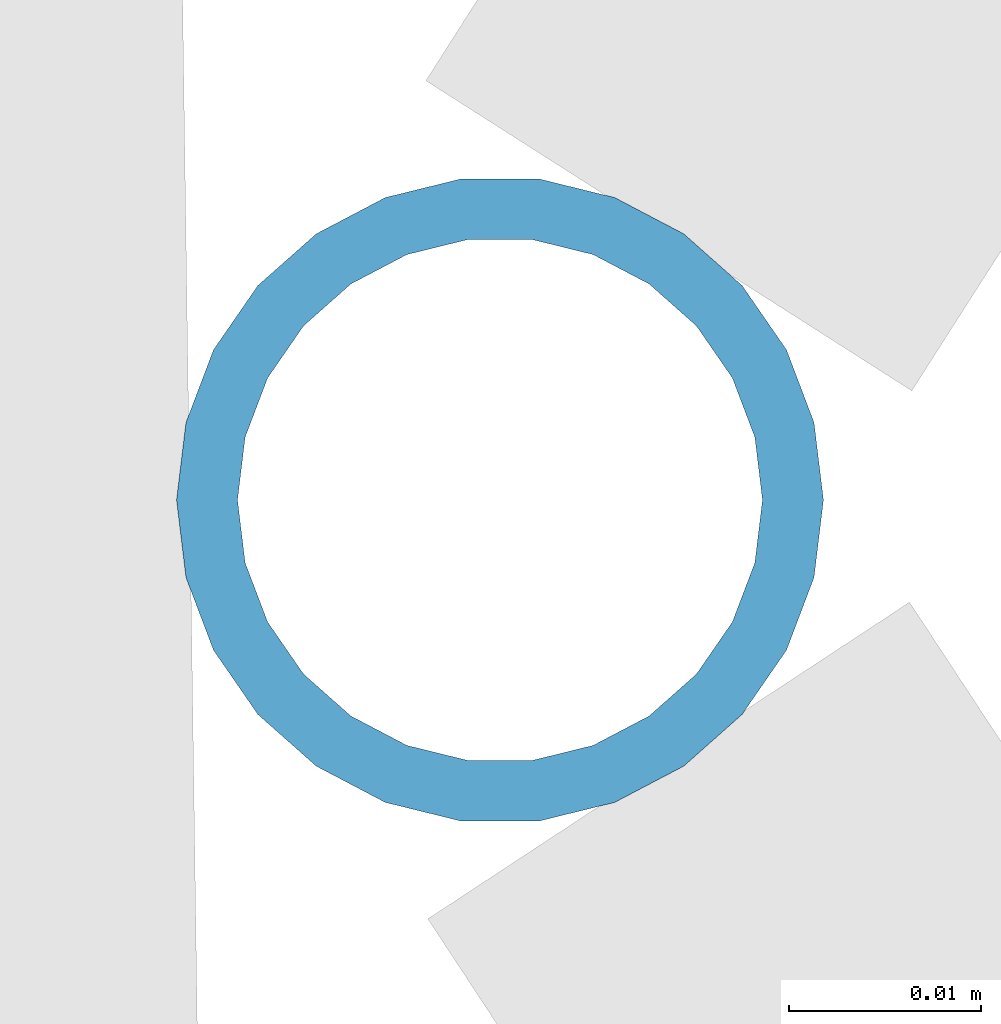
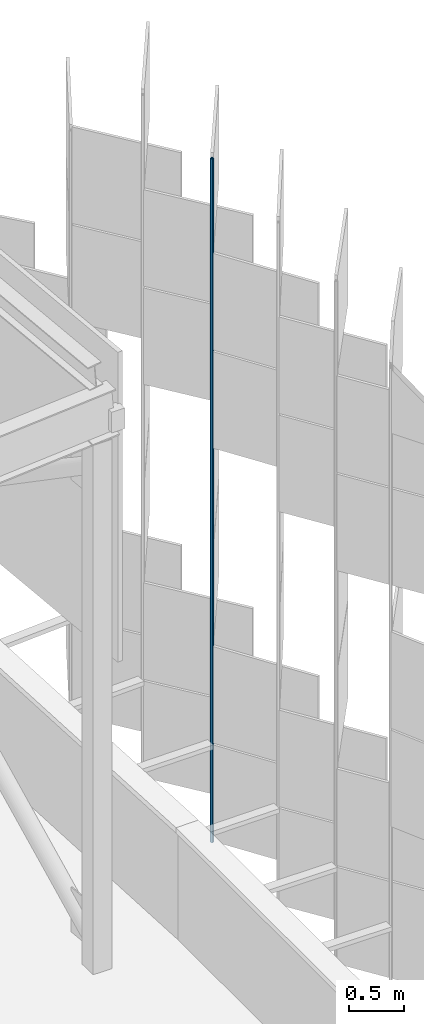
# One storey, part 287 of 483: 1 discrete accessory.
"""IFC4 building model written with IfcOpenShell, lengths in metres."""

from ifc_helpers import new_model, si_unit, direction, frame, origin, origin_2d, place, context, subcontext, project, spatial, hollow_circle, extrude, material, material_profile, profile_set, type_object, element, save


model = new_model("IFC4")

# Units and contexts
model_context = context("Model", 3, precision=1e-05, world=origin(), true_north=direction((0.0, 1.0)))
body_context = subcontext(model_context, "Body", "Model", "MODEL_VIEW")
ifc_project = project(units=[si_unit("LENGTHUNIT", "METRE"), si_unit("AREAUNIT", "SQUARE_METRE"), si_unit("VOLUMEUNIT", "CUBIC_METRE"), si_unit("PLANEANGLEUNIT", "RADIAN"), si_unit("MASSUNIT", "GRAM", prefix="KILO")], contexts=[model_context])

# Site, building, storey
site_placement = place(None, origin())
site = spatial("IfcSite", under=ifc_project, at=site_placement, CompositionType="ELEMENT")
building_placement = place(site_placement, origin())
building = spatial("IfcBuilding", under=site, at=building_placement, Name="Parallax Yard Mobility Hub", CompositionType="ELEMENT")
storey_placement = place(building_placement, frame((0.0, 0.0, 13.199951171875)))
storey = spatial("IfcBuildingStorey", under=building, at=storey_placement, Name="L04", CompositionType="ELEMENT", Elevation=13.199951171875)

# Discrete accessory
ifc_material = material(Name="Steel ASTM A500 Gr C, hot-dip galvanised", Category="steel")
ifc_material_profile = material_profile(ifc_material, hollow_circle(Radius=0.016845703125, WallThickness=0.003173828125, at=origin_2d()), Name="CHS 33.7x3.2")
ifc_profile_set = profile_set([ifc_material_profile], Name="Steel ASTM A500 Gr C, hot-dip galvanised")
discrete_accessory_type = type_object("IfcDiscreteAccessoryType", Name="Hinge post CHS 33.7x3.2", PredefinedType="BRACKET", material=ifc_profile_set)
discrete_accessory_placement = place(storey_placement, frame((225.806884765625, 91.194091796875, 0.0), z_axis=(0.0, 0.0, 1.0), x_axis=(1.0, 0.0, 0.0)))
element("IfcDiscreteAccessory", 1, at=discrete_accessory_placement, inside=storey, type_object=discrete_accessory_type, Name="Hinge post bay 41.2 level L04", PredefinedType="BRACKET", context=body_context, shape_type="SweptSolid", body=[
    extrude(hollow_circle(Radius=0.016845703125, WallThickness=0.003173828125, at=origin_2d()), origin(), (0.0, 0.0, 1.0), 7.650146484375),
])

save(model, "model.ifc")
